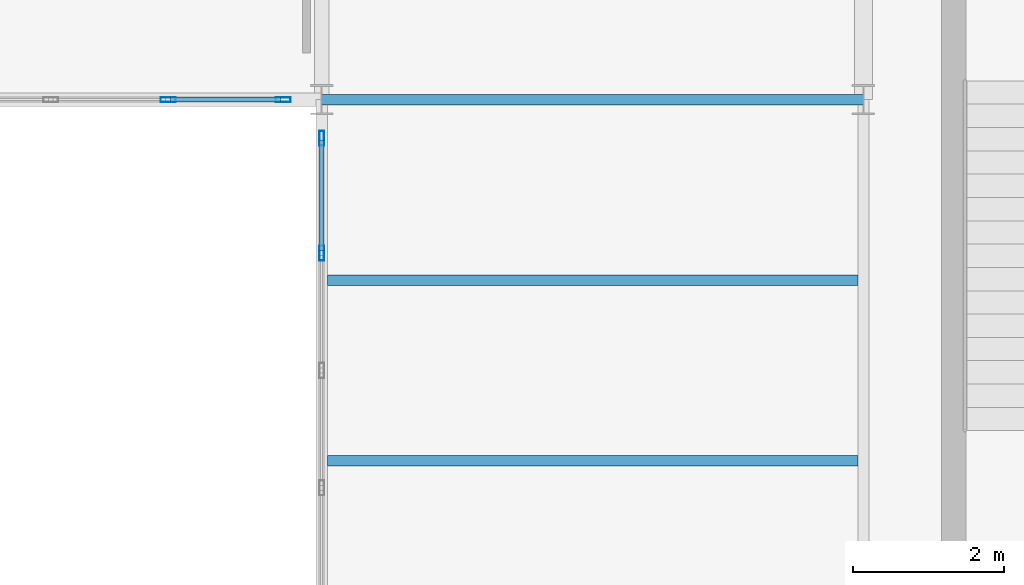
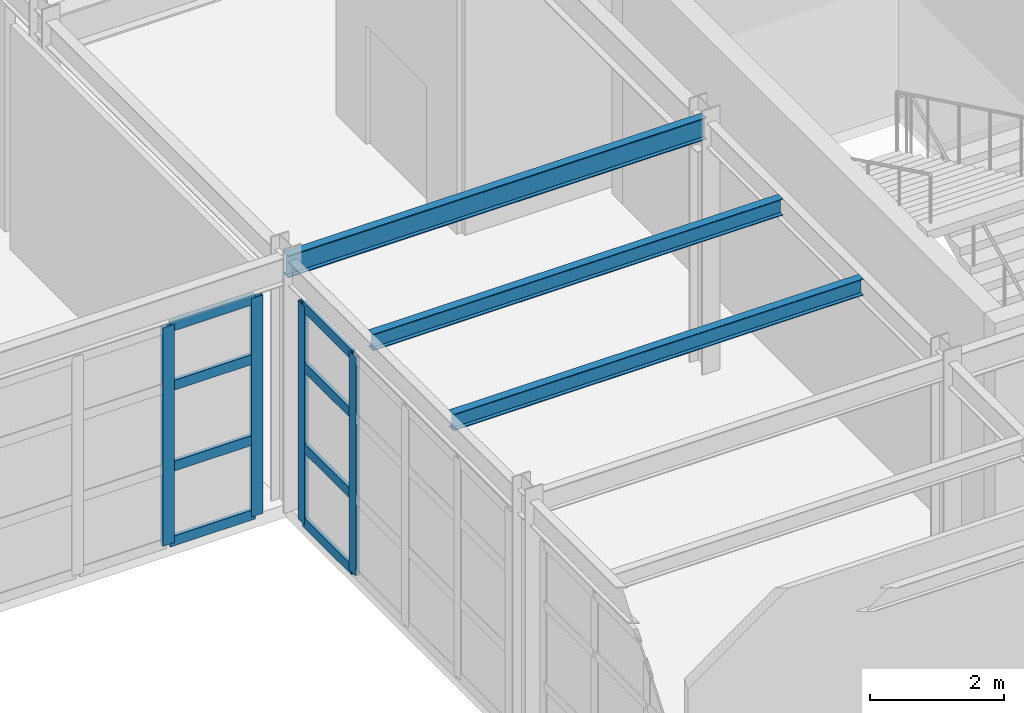
# One storey, part 40 of 126: 12 members, 3 beams, 2 elements without a shape of their own.
"""IFC4 building model written with IfcOpenShell, lengths in metres."""

from ifc_helpers import new_model, si_unit, direction, frame, origin, origin_2d, place, context, subcontext, project, spatial, hollow_rectangle, i_section, extrude, material, layer, layer_set, material_profile, profile_set, type_object, element, aggregate, save


model = new_model("IFC4")

# Units and contexts
model_context = context("Model", 3, precision=1e-05, world=origin(), true_north=direction((0.0, 1.0)))
body_context = subcontext(model_context, "Body", "Model", "MODEL_VIEW")
ifc_project = project(units=[si_unit("LENGTHUNIT", "METRE"), si_unit("AREAUNIT", "SQUARE_METRE"), si_unit("VOLUMEUNIT", "CUBIC_METRE"), si_unit("PLANEANGLEUNIT", "RADIAN"), si_unit("MASSUNIT", "GRAM", prefix="KILO")], contexts=[model_context])

# Site, building, storey
site_placement = place(None, origin())
site = spatial("IfcSite", under=ifc_project, at=site_placement, CompositionType="ELEMENT")
building_placement = place(site_placement, origin())
building = spatial("IfcBuilding", under=site, at=building_placement, Name="Solvadek Multi-Sports Hall", CompositionType="ELEMENT")
storey_placement = place(building_placement, frame((0.0, 0.0, 9.60009765625)))
storey = spatial("IfcBuildingStorey", under=building, at=storey_placement, Name="L02", CompositionType="ELEMENT", Elevation=9.60009765625)

# Curtain wall, members
ifc_material_1 = material(Name="Anodised aluminium", Category="aluminium")
ifc_layer = layer(ifc_material_1, 0.159912109375, Name="Anodised aluminium")
ifc_layer_set = layer_set([ifc_layer], Name="Anodised aluminium")
curtain_wall_type = type_object("IfcCurtainWallType", Name="ENV-CW-624X397", PredefinedType="USERDEFINED", material=ifc_layer_set)
curtain_wall_1_placement = place(storey_placement, origin())
curtain_wall_1 = element("IfcCurtainWall", 1, at=curtain_wall_1_placement, inside=storey, type_object=curtain_wall_type, Name="L02 Perimeter Bay Curtain Wall #179", ObjectType="CURTAIN WALL", PredefinedType="USERDEFINED")
ifc_material_profile_1 = material_profile(ifc_material_1, hollow_rectangle(XDim=0.06494140625, YDim=0.199951171875, WallThickness=0.0048828125, at=origin_2d()), Name="ALU-M 200x65x5")
ifc_profile_set_1 = profile_set([ifc_material_profile_1], Name="Anodised aluminium")
member_type_1 = type_object("IfcMemberType", Name="ENV-CWM-03", PredefinedType="MULLION", material=ifc_profile_set_1)
member_1_placement = place(storey_placement, frame((55.56005859375, 49.199951171875, 0.0), z_axis=(0.0, 0.0, 1.0), x_axis=(0.0, 1.0, 0.0)))
member_1 = element("IfcMember", 2, at=member_1_placement, type_object=member_type_1, Name="CW-57 mullion 4", PredefinedType="MULLION", context=body_context, shape_type="SweptSolid", body=[
    extrude(hollow_rectangle(XDim=0.06494140625, YDim=0.199951171875, WallThickness=0.0048828125, at=origin_2d()), origin(), (0.0, 0.0, 1.0), 3.974853515625),
])
member_2_placement = place(storey_placement, frame((57.08740234375, 49.199951171875, 0.0), z_axis=(0.0, 0.0, 1.0), x_axis=(0.0, 1.0, 0.0)))
member_2 = element("IfcMember", 3, at=member_2_placement, type_object=member_type_1, Name="CW-57 mullion 5", PredefinedType="MULLION", context=body_context, shape_type="SweptSolid", body=[
    extrude(hollow_rectangle(XDim=0.06494140625, YDim=0.199951171875, WallThickness=0.0048828125, at=origin_2d()), origin(), (0.0, 0.0, 1.0), 3.974853515625),
])

curtain_wall_2_placement = place(storey_placement, origin())
curtain_wall_2 = element("IfcCurtainWall", 4, at=curtain_wall_2_placement, inside=storey, type_object=curtain_wall_type, Name="L02 Perimeter Bay Curtain Wall #202", ObjectType="CURTAIN WALL", PredefinedType="USERDEFINED")
member_3_placement = place(storey_placement, frame((57.60009765625, 47.159912109375, 0.0), z_axis=(0.0, 0.0, 1.0), x_axis=(-1.0, 0.0, 0.0)))
member_3 = element("IfcMember", 5, at=member_3_placement, type_object=member_type_1, Name="CW-57 mullion 4", PredefinedType="MULLION", context=body_context, shape_type="SweptSolid", body=[
    extrude(hollow_rectangle(XDim=0.06494140625, YDim=0.199951171875, WallThickness=0.0048828125, at=origin_2d()), origin(), (0.0, 0.0, 1.0), 3.974853515625),
])
member_4_placement = place(storey_placement, frame((57.60009765625, 48.6875, 0.0), z_axis=(0.0, 0.0, 1.0), x_axis=(-1.0, 0.0, 0.0)))
member_4 = element("IfcMember", 6, at=member_4_placement, type_object=member_type_1, Name="CW-57 mullion 5", PredefinedType="MULLION", context=body_context, shape_type="SweptSolid", body=[
    extrude(hollow_rectangle(XDim=0.06494140625, YDim=0.199951171875, WallThickness=0.0048828125, at=origin_2d()), origin(), (0.0, 0.0, 1.0), 3.974853515625),
])

# Member
ifc_material_profile_2 = material_profile(ifc_material_1, hollow_rectangle(XDim=0.06494140625, YDim=0.179931640625, WallThickness=0.0048828125, at=origin_2d()), Name="ALU-T 180x65x5")
ifc_profile_set_2 = profile_set([ifc_material_profile_2], Name="Anodised aluminium")
member_type_2 = type_object("IfcMemberType", Name="ENV-CWT-04", PredefinedType="USERDEFINED", material=ifc_profile_set_2)
member_5_placement = place(storey_placement, frame((55.592529296875, 49.199951171875, 0.032470703125), z_axis=(1.0, 0.0, 0.0), x_axis=(0.0, 1.0, 0.0)))
member_5 = element("IfcMember", 7, at=member_5_placement, type_object=member_type_2, Name="CW-57 transom 4.1", ObjectType="TRANSOM", PredefinedType="USERDEFINED", context=body_context, shape_type="SweptSolid", body=[
    extrude(hollow_rectangle(XDim=0.06494140625, YDim=0.179931640625, WallThickness=0.0048828125, at=origin_2d()), origin(), (0.0, 0.0, 1.0), 1.46240234375),
])

member_6_placement = place(storey_placement, frame((55.592529296875, 49.199951171875, 1.390869140625), z_axis=(1.0, 0.0, 0.0), x_axis=(0.0, 1.0, 0.0)))
member_6 = element("IfcMember", 8, at=member_6_placement, type_object=member_type_2, Name="CW-57 transom 4.2", ObjectType="TRANSOM", PredefinedType="USERDEFINED", context=body_context, shape_type="SweptSolid", body=[
    extrude(hollow_rectangle(XDim=0.06494140625, YDim=0.179931640625, WallThickness=0.0048828125, at=origin_2d()), origin(), (0.0, 0.0, 1.0), 1.46240234375),
])

member_7_placement = place(storey_placement, frame((55.592529296875, 49.199951171875, 2.86181640625), z_axis=(1.0, 0.0, 0.0), x_axis=(0.0, 1.0, 0.0)))
member_7 = element("IfcMember", 9, at=member_7_placement, type_object=member_type_2, Name="CW-57 transom 4.3", ObjectType="TRANSOM", PredefinedType="USERDEFINED", context=body_context, shape_type="SweptSolid", body=[
    extrude(hollow_rectangle(XDim=0.06494140625, YDim=0.179931640625, WallThickness=0.0048828125, at=origin_2d()), origin(), (0.0, 0.0, 1.0), 1.46240234375),
])

member_8_placement = place(storey_placement, frame((55.592529296875, 49.199951171875, 3.9423828125), z_axis=(1.0, 0.0, 0.0), x_axis=(0.0, 1.0, 0.0)))
member_8 = element("IfcMember", 10, at=member_8_placement, type_object=member_type_2, Name="CW-57 transom 4.4", ObjectType="TRANSOM", PredefinedType="USERDEFINED", context=body_context, shape_type="SweptSolid", body=[
    extrude(hollow_rectangle(XDim=0.06494140625, YDim=0.179931640625, WallThickness=0.0048828125, at=origin_2d()), origin(), (0.0, 0.0, 1.0), 1.46240234375),
])

aggregate(curtain_wall_1, [member_1, member_2, member_5, member_6, member_7, member_8])

member_9_placement = place(storey_placement, frame((57.60009765625, 47.1923828125, 0.032470703125), z_axis=(0.0, 1.0, 0.0), x_axis=(-1.0, 0.0, 0.0)))
member_9 = element("IfcMember", 11, at=member_9_placement, type_object=member_type_2, Name="CW-57 transom 4.1", ObjectType="TRANSOM", PredefinedType="USERDEFINED", context=body_context, shape_type="SweptSolid", body=[
    extrude(hollow_rectangle(XDim=0.06494140625, YDim=0.179931640625, WallThickness=0.0048828125, at=origin_2d()), origin(), (0.0, 0.0, 1.0), 1.462646484375),
])

member_10_placement = place(storey_placement, frame((57.60009765625, 47.1923828125, 1.390869140625), z_axis=(0.0, 1.0, 0.0), x_axis=(-1.0, 0.0, 0.0)))
member_10 = element("IfcMember", 12, at=member_10_placement, type_object=member_type_2, Name="CW-57 transom 4.2", ObjectType="TRANSOM", PredefinedType="USERDEFINED", context=body_context, shape_type="SweptSolid", body=[
    extrude(hollow_rectangle(XDim=0.06494140625, YDim=0.179931640625, WallThickness=0.0048828125, at=origin_2d()), origin(), (0.0, 0.0, 1.0), 1.462646484375),
])

member_11_placement = place(storey_placement, frame((57.60009765625, 47.1923828125, 2.86181640625), z_axis=(0.0, 1.0, 0.0), x_axis=(-1.0, 0.0, 0.0)))
member_11 = element("IfcMember", 13, at=member_11_placement, type_object=member_type_2, Name="CW-57 transom 4.3", ObjectType="TRANSOM", PredefinedType="USERDEFINED", context=body_context, shape_type="SweptSolid", body=[
    extrude(hollow_rectangle(XDim=0.06494140625, YDim=0.179931640625, WallThickness=0.0048828125, at=origin_2d()), origin(), (0.0, 0.0, 1.0), 1.462646484375),
])

member_12_placement = place(storey_placement, frame((57.60009765625, 47.1923828125, 3.9423828125), z_axis=(0.0, 1.0, 0.0), x_axis=(-1.0, 0.0, 0.0)))
member_12 = element("IfcMember", 14, at=member_12_placement, type_object=member_type_2, Name="CW-57 transom 4.4", ObjectType="TRANSOM", PredefinedType="USERDEFINED", context=body_context, shape_type="SweptSolid", body=[
    extrude(hollow_rectangle(XDim=0.06494140625, YDim=0.179931640625, WallThickness=0.0048828125, at=origin_2d()), origin(), (0.0, 0.0, 1.0), 1.462646484375),
])

aggregate(curtain_wall_2, [member_3, member_4, member_9, member_10, member_11, member_12])

# Beams
ifc_material_2 = material(Name="Steel E350 (350 MPa)", Category="steel")
ifc_material_profile_3 = material_profile(ifc_material_2, i_section(OverallWidth=0.139892578125, OverallDepth=0.39990234375, WebThickness=0.0087890625, FlangeThickness=0.01611328125, at=origin_2d()), Name="ISMB 400")
ifc_profile_set_3 = profile_set([ifc_material_profile_3], Name="Steel E350 (350 MPa)")
beam_type_1 = type_object("IfcBeamType", Name="STR-BM-ISMB400", PredefinedType="BEAM", material=ifc_profile_set_3)
beam_placement = place(storey_placement, frame((57.60009765625, 49.199951171875, 4.35986328125), z_axis=(1.0, 0.0, 0.0), x_axis=(0.0, 1.0, 0.0)))
element("IfcBeam", 15, at=beam_placement, inside=storey, type_object=beam_type_1, Name="L02 Girder B-10 #1373", PredefinedType="BEAM", context=body_context, shape_type="SweptSolid", body=[
    extrude(i_section(OverallWidth=0.139892578125, OverallDepth=0.39990234375, WebThickness=0.0087890625, FlangeThickness=0.01611328125, at=origin_2d()), origin(), (0.0, 0.0, 1.0), 7.199951171875),
])
ifc_material_profile_4 = material_profile(ifc_material_2, i_section(OverallWidth=0.139892578125, OverallDepth=0.300048828125, WebThickness=0.0078125, FlangeThickness=0.01318359375, at=origin_2d()), Name="ISMB 300")
ifc_profile_set_4 = profile_set([ifc_material_profile_4], Name="Steel E350 (350 MPa)")
beam_type_2 = type_object("IfcBeamType", Name="STR-JST-ISMB300", PredefinedType="JOIST", material=ifc_profile_set_4)
for number, where, z_axis, x_axis, name in (
    (16, (57.675048828125, 44.39990234375, 4.409912109375), (1.0, 0.0, 0.0), (0.0, 1.0, 0.0), "L02 Composite Joist J-03 #811"),
    (17, (57.675048828125, 46.800048828125, 4.409912109375), (1.0, 0.0, 0.0), (0.0, 1.0, 0.0), "L02 Composite Joist J-03 #812"),
):
    element("IfcBeam", number, at=place(storey_placement, frame(where, z_axis=z_axis, x_axis=x_axis)), inside=storey, type_object=beam_type_2, Name=name, PredefinedType="JOIST", context=body_context, shape_type="SweptSolid", body=[
        extrude(i_section(OverallWidth=0.139892578125, OverallDepth=0.300048828125, WebThickness=0.0078125, FlangeThickness=0.01318359375, at=origin_2d()), origin(), (0.0, 0.0, 1.0), 7.050048828125),
    ])

save(model, "model.ifc")
